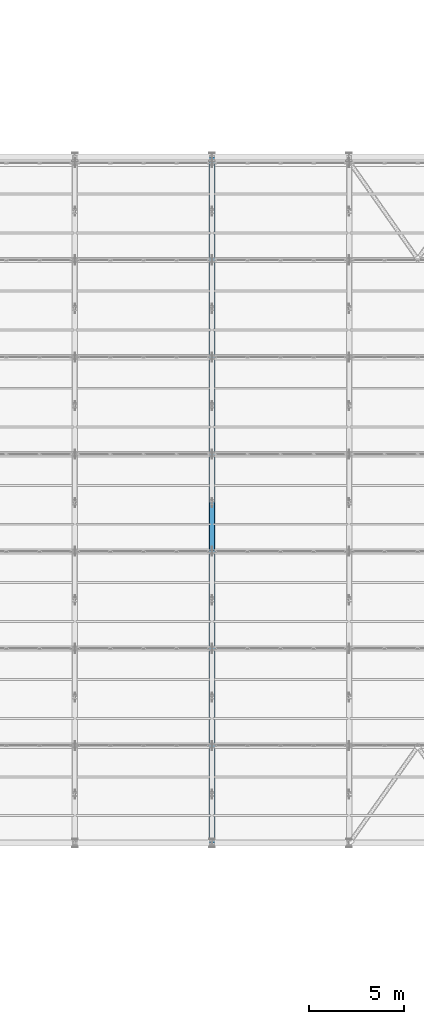
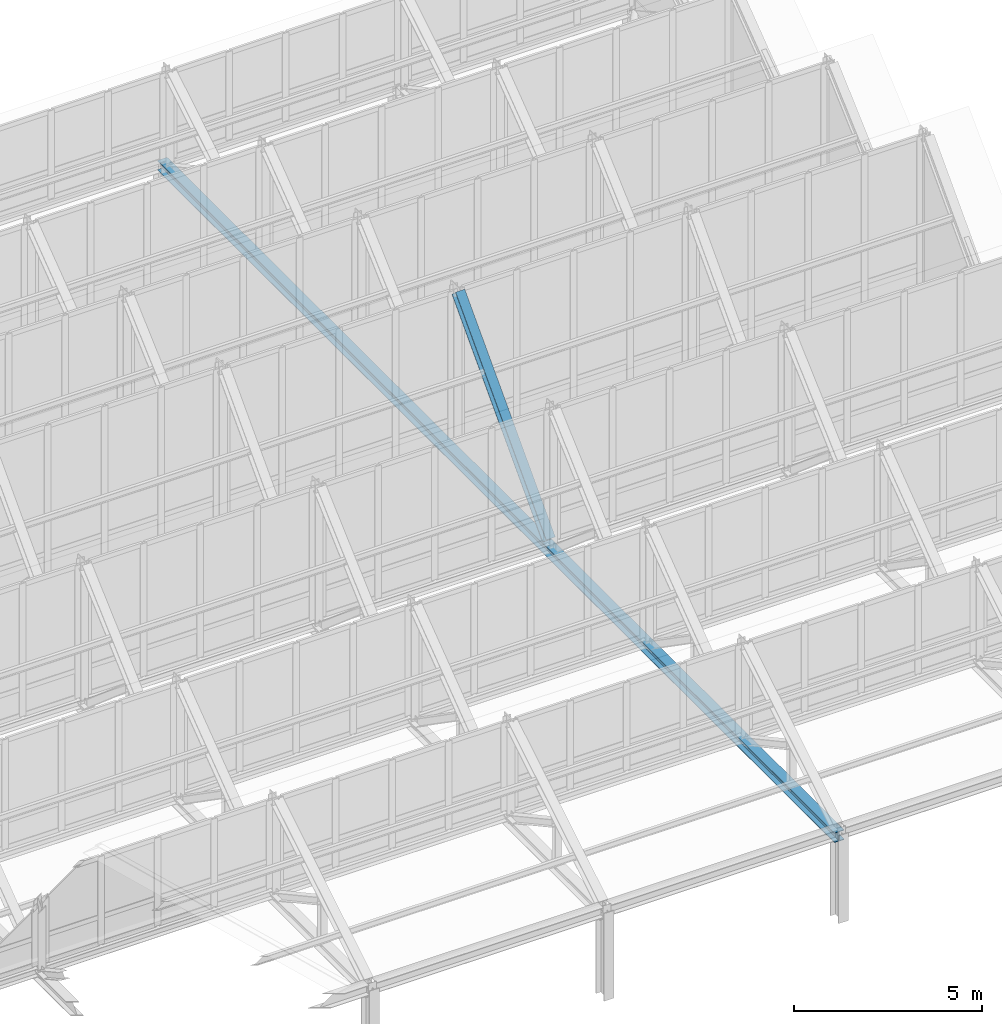
# One storey, part 60 of 157: 2 members.
"""IFC4 building model written with IfcOpenShell, lengths in metres."""

from ifc_helpers import new_model, si_unit, direction, frame, origin, origin_2d, place, context, subcontext, project, spatial, i_section, extrude, material, material_profile, profile_set, type_object, element, save


model = new_model("IFC4")

# Units and contexts
model_context = context("Model", 3, precision=1e-05, world=origin(), true_north=direction((0.0, 1.0)))
body_context = subcontext(model_context, "Body", "Model", "MODEL_VIEW")
ifc_project = project(units=[si_unit("LENGTHUNIT", "METRE"), si_unit("AREAUNIT", "SQUARE_METRE"), si_unit("VOLUMEUNIT", "CUBIC_METRE"), si_unit("PLANEANGLEUNIT", "RADIAN"), si_unit("MASSUNIT", "GRAM", prefix="KILO")], contexts=[model_context])

# Site, building, storey
site_placement = place(None, origin())
site = spatial("IfcSite", under=ifc_project, at=site_placement, CompositionType="ELEMENT")
building_placement = place(site_placement, origin())
building = spatial("IfcBuilding", under=site, at=building_placement, Name="Suanplinth Sawtooth Commons", CompositionType="ELEMENT")
storey_placement = place(building_placement, frame((0.0, 0.0, 9.0)))
storey = spatial("IfcBuildingStorey", under=building, at=storey_placement, Name="L02", CompositionType="ELEMENT", Elevation=9.0)

# Members
ifc_material = material(Name="Steel S355JR", Category="steel")
ifc_material_profile_1 = material_profile(ifc_material, i_section(OverallWidth=0.300048828125, OverallDepth=0.320068359375, WebThickness=0.011474609375, FlangeThickness=0.0205078125, at=origin_2d()), Name="HEB 320")
ifc_profile_set_1 = profile_set([ifc_material_profile_1], Name="Steel S355JR")
member_type_1 = type_object("IfcMemberType", Name="M-01", PredefinedType="CHORD", material=ifc_profile_set_1)
member_1_placement = place(storey_placement, frame((100.800048828125, 50.39990234375, 2.64990234375), z_axis=(0.0, 1.0, 0.0), x_axis=(-1.0, 0.0, 0.0)))
element("IfcMember", 1, at=member_1_placement, inside=storey, type_object=member_type_1, Name="Sawtooth Truss T6 Bottom Chord", PredefinedType="CHORD", context=body_context, shape_type="SweptSolid", body=[
    extrude(i_section(OverallWidth=0.300048828125, OverallDepth=0.320068359375, WebThickness=0.011474609375, FlangeThickness=0.0205078125, at=origin_2d()), origin(), (0.0, 0.0, 1.0), 36.0),
])
ifc_material_profile_2 = material_profile(ifc_material, i_section(OverallWidth=0.280029296875, OverallDepth=0.280029296875, WebThickness=0.010498046875, FlangeThickness=0.01806640625, at=origin_2d()), Name="HEB 280")
ifc_profile_set_2 = profile_set([ifc_material_profile_2], Name="Steel S355JR")
member_type_2 = type_object("IfcMemberType", Name="M-02", PredefinedType="CHORD", material=ifc_profile_set_2)
member_2_placement = place(storey_placement, frame((100.800048828125, 65.840087890625, 2.919921875), z_axis=(0.0, 0.685431841642, 0.728136793785), x_axis=(-1.0, 0.0, 0.0)))
element("IfcMember", 2, at=member_2_placement, inside=storey, type_object=member_type_2, Name="Sawtooth Truss T6 Top Chord 4", PredefinedType="CHORD", context=body_context, shape_type="SweptSolid", body=[
    extrude(i_section(OverallWidth=0.280029296875, OverallDepth=0.280029296875, WebThickness=0.010498046875, FlangeThickness=0.01806640625, at=origin_2d()), origin(), (0.0, 0.0, 1.0), 7.03173828125),
])

save(model, "model.ifc")
